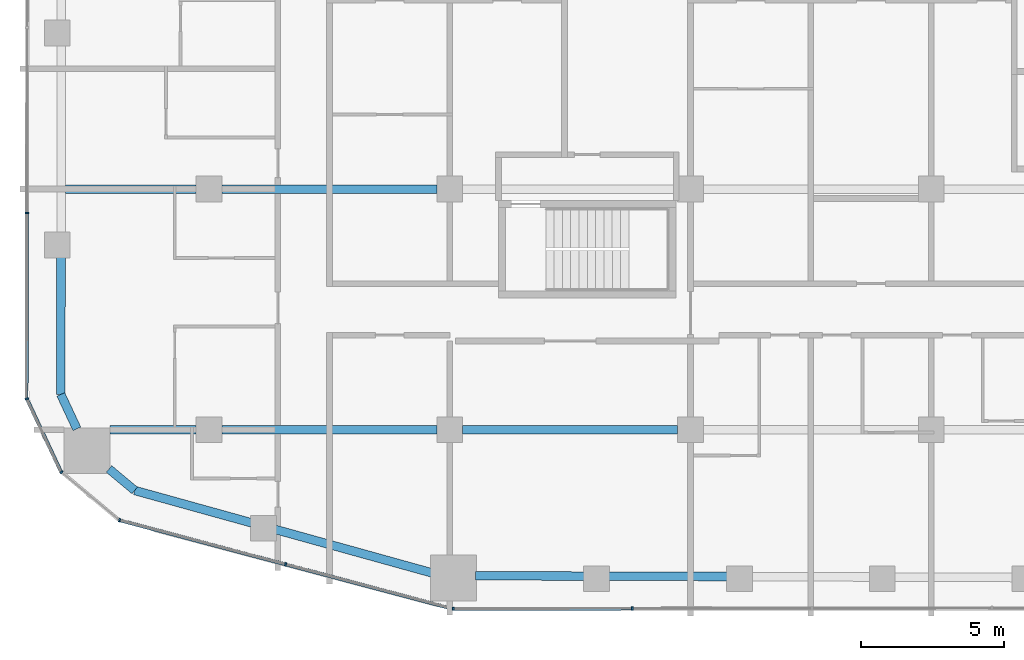
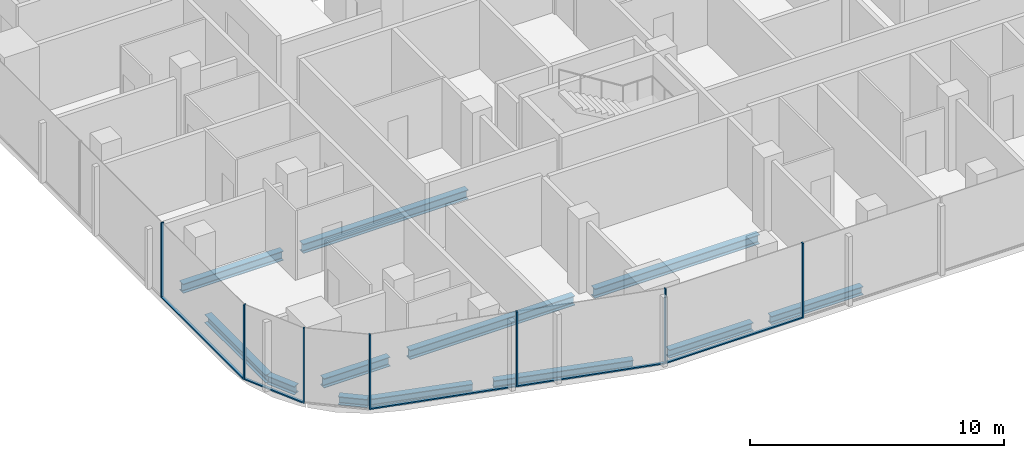
# One storey, part 2 of 23: 12 beams, 12 members, 5 elements without a shape of their own.
"""IFC4 building model written with IfcOpenShell, lengths in metres."""

from ifc_helpers import new_model, si_unit, direction, frame, origin, origin_2d, place, context, subcontext, project, spatial, rectangle, i_section, extrude, material, layer, layer_set, material_profile, profile_set, type_object, element, aggregate, save


model = new_model("IFC4")

# Units and contexts
model_context = context("Model", 3, precision=1e-05, world=origin(), true_north=direction((0.0, 1.0)))
body_context = subcontext(model_context, "Body", "Model", "MODEL_VIEW")
ifc_project = project(units=[si_unit("LENGTHUNIT", "METRE"), si_unit("AREAUNIT", "SQUARE_METRE"), si_unit("VOLUMEUNIT", "CUBIC_METRE"), si_unit("PLANEANGLEUNIT", "RADIAN"), si_unit("MASSUNIT", "GRAM", prefix="KILO")], contexts=[model_context])

# Site, building, storey
site_placement = place(None, origin())
site = spatial("IfcSite", under=ifc_project, at=site_placement, CompositionType="ELEMENT")
building_placement = place(site_placement, origin())
building = spatial("IfcBuilding", under=site, at=building_placement, Name="Marenta Gate Hotel Tower", CompositionType="ELEMENT")
storey_placement = place(building_placement, frame((0.0, 0.0, 140.89990234375)))
storey = spatial("IfcBuildingStorey", under=building, at=storey_placement, Name="L32", CompositionType="ELEMENT", Elevation=140.89990234375)

# Beams
ifc_material_1 = material(Name="Steel S355", Category="steel")
ifc_material_profile_1 = material_profile(ifc_material_1, i_section(OverallWidth=0.300048828125, OverallDepth=0.39990234375, WebThickness=0.013427734375, FlangeThickness=0.02392578125, FilletRadius=0.027099609375, at=origin_2d()), Name="HEB 400")
ifc_profile_set_1 = profile_set([ifc_material_profile_1], Name="Steel S355")
beam_type_1 = type_object("IfcBeamType", Name="Edge beam HEB 400", PredefinedType="SPANDREL", material=ifc_profile_set_1)
beam_1_placement = place(storey_placement, frame((-13.227783203125, -21.794677734375, -0.4599609375), z_axis=(-0.963615860477, 0.267290990189, 0.0), x_axis=(-0.267290990189, -0.963615860477, 0.0)))
element("IfcBeam", 1, at=beam_1_placement, inside=storey, type_object=beam_type_1, Name="L32-EB-1", PredefinedType="SPANDREL", context=body_context, shape_type="SweptSolid", body=[
    extrude(i_section(OverallWidth=0.300048828125, OverallDepth=0.39990234375, WebThickness=0.013427734375, FlangeThickness=0.02392578125, FilletRadius=0.027099609375, at=origin_2d()), origin(), (0.0, 0.0, 1.0), 5.674072265625),
])
beam_2_placement = place(storey_placement, frame((-19.518310546875, -20.0498046875, -0.4599609375), z_axis=(-0.963630213062, 0.267239242016, 0.0), x_axis=(-0.267239242016, -0.963630213062, 0.0)))
element("IfcBeam", 2, at=beam_2_placement, inside=storey, type_object=beam_type_1, Name="L32-EB-2", PredefinedType="SPANDREL", context=body_context, shape_type="SweptSolid", body=[
    extrude(i_section(OverallWidth=0.300048828125, OverallDepth=0.39990234375, WebThickness=0.013427734375, FlangeThickness=0.02392578125, FilletRadius=0.027099609375, at=origin_2d()), origin(), (0.0, 0.0, 1.0), 4.232666015625),
])
beam_3_placement = place(storey_placement, frame((-23.596923828125, -18.918701171875, -0.4599609375), z_axis=(-0.767073132856, 0.641559668972, 0.0), x_axis=(-0.641559668972, -0.767073132856, 0.0)))
element("IfcBeam", 3, at=beam_3_placement, inside=storey, type_object=beam_type_1, Name="L32-EB-3", PredefinedType="SPANDREL", context=body_context, shape_type="SweptSolid", body=[
    extrude(i_section(OverallWidth=0.300048828125, OverallDepth=0.39990234375, WebThickness=0.013427734375, FlangeThickness=0.02392578125, FilletRadius=0.027099609375, at=origin_2d()), origin(), (0.0, 0.0, 1.0), 1.1689453125),
])
beam_4_placement = place(storey_placement, frame((-25.613525390625, -16.769287109375, -0.4599609375), z_axis=(-0.423207780269, 0.906032656541, 0.0), x_axis=(-0.906032656541, -0.423207780269, 0.0)))
element("IfcBeam", 4, at=beam_4_placement, inside=storey, type_object=beam_type_1, Name="L32-EB-4", PredefinedType="SPANDREL", context=body_context, shape_type="SweptSolid", body=[
    extrude(i_section(OverallWidth=0.300048828125, OverallDepth=0.39990234375, WebThickness=0.013427734375, FlangeThickness=0.02392578125, FilletRadius=0.027099609375, at=origin_2d()), origin(), (0.0, 0.0, 1.0), 1.326904296875),
])
beam_5_placement = place(storey_placement, frame((-26.175048828125, -15.567138671875, -0.4599609375), z_axis=(0.001371810517, 0.999999059068, 0.0), x_axis=(-0.999999059068, 0.001371810517, 0.0)))
element("IfcBeam", 5, at=beam_5_placement, inside=storey, type_object=beam_type_1, Name="L32-EB-5", PredefinedType="SPANDREL", context=body_context, shape_type="SweptSolid", body=[
    extrude(i_section(OverallWidth=0.300048828125, OverallDepth=0.39990234375, WebThickness=0.013427734375, FlangeThickness=0.02392578125, FilletRadius=0.027099609375, at=origin_2d()), origin(), (0.0, 0.0, 1.0), 4.80517578125),
])
beam_6_placement = place(storey_placement, frame((-2.9033203125, -21.92333984375, -0.4599609375), z_axis=(-0.999994807487, 0.003222576575, 0.0), x_axis=(-0.003222576575, -0.999994807487, 0.0)))
element("IfcBeam", 6, at=beam_6_placement, inside=storey, type_object=beam_type_1, Name="L32-EB-35", PredefinedType="SPANDREL", context=body_context, shape_type="SweptSolid", body=[
    extrude(i_section(OverallWidth=0.300048828125, OverallDepth=0.39990234375, WebThickness=0.013427734375, FlangeThickness=0.02392578125, FilletRadius=0.027099609375, at=origin_2d()), origin(), (0.0, 0.0, 1.0), 4.166748046875),
])
beam_7_placement = place(storey_placement, frame((-7.89013671875, -21.907470703125, -0.4599609375), z_axis=(-0.999994677283, 0.003262729738, 0.0), x_axis=(-0.003262729738, -0.999994677283, 0.0)))
element("IfcBeam", 7, at=beam_7_placement, inside=storey, type_object=beam_type_1, Name="L32-EB-36", PredefinedType="SPANDREL", context=body_context, shape_type="SweptSolid", body=[
    extrude(i_section(OverallWidth=0.300048828125, OverallDepth=0.39990234375, WebThickness=0.013427734375, FlangeThickness=0.02392578125, FilletRadius=0.027099609375, at=origin_2d()), origin(), (0.0, 0.0, 1.0), 3.816162109375),
])
ifc_material_2 = material(Name="Steel S355", Category="steel")
ifc_material_profile_2 = material_profile(ifc_material_2, i_section(OverallWidth=0.300048828125, OverallDepth=0.449951171875, WebThickness=0.013916015625, FlangeThickness=0.02587890625, FilletRadius=0.027099609375, at=origin_2d()), Name="HEB 450")
ifc_profile_set_2 = profile_set([ifc_material_profile_2], Name="Steel S355")
beam_type_2 = type_object("IfcBeamType", Name="Girder HEB 450", PredefinedType="BEAM", material=ifc_profile_set_2)
beam_8_placement = place(storey_placement, frame((-24.462890625, -16.800048828125, -0.48486328125), z_axis=(1.0, 0.0, 0.0), x_axis=(0.0, 1.0, 0.0)))
element("IfcBeam", 8, at=beam_8_placement, inside=storey, type_object=beam_type_2, Name="L32-GD-1", PredefinedType="BEAM", context=body_context, shape_type="SweptSolid", body=[
    extrude(i_section(OverallWidth=0.300048828125, OverallDepth=0.449951171875, WebThickness=0.013916015625, FlangeThickness=0.02587890625, FilletRadius=0.027099609375, at=origin_2d()), origin(), (0.0, 0.0, 1.0), 3.012939453125),
])
for number, where, z_axis, x_axis, name in (
    (9, (-20.550048828125, -16.800048828125, -0.48486328125), (1.0, 0.0, 0.0), (0.0, 1.0, 0.0), "L32-GD-2"),
    (10, (-12.14990234375, -16.800048828125, -0.48486328125), (1.0, 0.0, 0.0), (0.0, 1.0, 0.0), "L32-GD-3"),
):
    element("IfcBeam", number, at=place(storey_placement, frame(where, z_axis=z_axis, x_axis=x_axis)), inside=storey, type_object=beam_type_2, Name=name, PredefinedType="BEAM", context=body_context, shape_type="SweptSolid", body=[
        extrude(i_section(OverallWidth=0.300048828125, OverallDepth=0.449951171875, WebThickness=0.013916015625, FlangeThickness=0.02587890625, FilletRadius=0.027099609375, at=origin_2d()), origin(), (0.0, 0.0, 1.0), 7.5),
    ])
beam_9_placement = place(storey_placement, frame((-26.01513671875, -8.39990234375, -0.48486328125), z_axis=(1.0, 0.0, 0.0), x_axis=(0.0, 1.0, 0.0)))
element("IfcBeam", 11, at=beam_9_placement, inside=storey, type_object=beam_type_2, Name="L32-GD-8", PredefinedType="BEAM", context=body_context, shape_type="SweptSolid", body=[
    extrude(i_section(OverallWidth=0.300048828125, OverallDepth=0.449951171875, WebThickness=0.013916015625, FlangeThickness=0.02587890625, FilletRadius=0.027099609375, at=origin_2d()), origin(), (0.0, 0.0, 1.0), 4.565185546875),
])
beam_10_placement = place(storey_placement, frame((-20.550048828125, -8.39990234375, -0.48486328125), z_axis=(1.0, 0.0, 0.0), x_axis=(0.0, 1.0, 0.0)))
element("IfcBeam", 12, at=beam_10_placement, inside=storey, type_object=beam_type_2, Name="L32-GD-9", PredefinedType="BEAM", context=body_context, shape_type="SweptSolid", body=[
    extrude(i_section(OverallWidth=0.300048828125, OverallDepth=0.449951171875, WebThickness=0.013916015625, FlangeThickness=0.02587890625, FilletRadius=0.027099609375, at=origin_2d()), origin(), (0.0, 0.0, 1.0), 7.5),
])

# Curtain wall, member
ifc_material_3 = material(Name="Tinted insulated glass in bronze anodised frame", Category="glass")
ifc_layer = layer(ifc_material_3, 0.1201171875)
ifc_layer_set = layer_set([ifc_layer], Name="Tinted insulated glass in bronze anodised frame")
curtain_wall_type = type_object("IfcCurtainWallType", Name="Tower unitised curtain wall CW1", PredefinedType="NOTDEFINED", material=ifc_layer_set)
curtain_wall_1_placement = place(storey_placement, origin())
curtain_wall_1 = element("IfcCurtainWall", 13, at=curtain_wall_1_placement, inside=storey, type_object=curtain_wall_type, Name="CW1 run G03", PredefinedType="NOTDEFINED")
ifc_material_4 = material(Name="Bronze anodised aluminium", Category="aluminium")
ifc_material_profile_3 = material_profile(ifc_material_4, rectangle(XDim=0.1201171875, YDim=0.06005859375, at=origin_2d()), Name="Mullion CW1 60x120 bronze anodised aluminium")
ifc_profile_set_3 = profile_set([ifc_material_profile_3], Name="Bronze anodised aluminium")
member_type_1 = type_object("IfcMemberType", Name="Mullion CW1 60x120 bronze anodised aluminium", PredefinedType="MULLION", material=ifc_profile_set_3)
member_1_placement = place(storey_placement, frame((-27.36279296875, -9.23388671875, 0.0), z_axis=(0.0, 0.0, 1.0), x_axis=(0.99999877375, -0.001566045546, 0.0)))
member_1 = element("IfcMember", 14, at=member_1_placement, type_object=member_type_1, Name="CW1 mullion 6", PredefinedType="MULLION", context=body_context, shape_type="SweptSolid", body=[
    extrude(rectangle(XDim=0.1201171875, YDim=0.06005859375, at=origin_2d()), origin(), (0.0, 0.0, 1.0), 3.60009765625),
])

curtain_wall_2_placement = place(storey_placement, origin())
curtain_wall_2 = element("IfcCurtainWall", 15, at=curtain_wall_2_placement, inside=storey, type_object=curtain_wall_type, Name="CW1 run G04", PredefinedType="NOTDEFINED")
member_2_placement = place(storey_placement, frame((-27.3603515625, -15.720947265625, 0.0), z_axis=(0.0, 0.0, 1.0), x_axis=(0.905971778319, 0.423338088163, 0.0)))
member_2 = element("IfcMember", 16, at=member_2_placement, type_object=member_type_1, Name="CW1 mullion 1", PredefinedType="MULLION", context=body_context, shape_type="SweptSolid", body=[
    extrude(rectangle(XDim=0.1201171875, YDim=0.06005859375, at=origin_2d()), origin(), (0.0, 0.0, 1.0), 3.60009765625),
])

curtain_wall_3_placement = place(storey_placement, origin())
curtain_wall_3 = element("IfcCurtainWall", 17, at=curtain_wall_3_placement, inside=storey, type_object=curtain_wall_type, Name="CW1 run G05", PredefinedType="NOTDEFINED")
member_3_placement = place(storey_placement, frame((-26.152099609375, -18.27685546875, 0.0), z_axis=(0.0, 0.0, 1.0), x_axis=(0.641512168126, 0.767112858807, 0.0)))
member_3 = element("IfcMember", 18, at=member_3_placement, type_object=member_type_1, Name="CW1 mullion 1", PredefinedType="MULLION", context=body_context, shape_type="SweptSolid", body=[
    extrude(rectangle(XDim=0.1201171875, YDim=0.06005859375, at=origin_2d()), origin(), (0.0, 0.0, 1.0), 3.60009765625),
])
aggregate(curtain_wall_3, [member_3])

# Curtain wall, members
curtain_wall_4_placement = place(storey_placement, origin())
curtain_wall_4 = element("IfcCurtainWall", 19, at=curtain_wall_4_placement, inside=storey, type_object=curtain_wall_type, Name="CW1 run G06", PredefinedType="NOTDEFINED")
member_4_placement = place(storey_placement, frame((-24.12451171875, -19.955810546875, 0.0), z_axis=(0.0, 0.0, 1.0), x_axis=(0.257143631229, 0.966373195468, 0.0)))
member_4 = element("IfcMember", 20, at=member_4_placement, type_object=member_type_1, Name="CW1 mullion 1", PredefinedType="MULLION", context=body_context, shape_type="SweptSolid", body=[
    extrude(rectangle(XDim=0.1201171875, YDim=0.06005859375, at=origin_2d()), origin(), (0.0, 0.0, 1.0), 3.60009765625),
])
member_5_placement = place(storey_placement, frame((-18.32958984375, -21.497802734375, 0.0), z_axis=(0.0, 0.0, 1.0), x_axis=(0.257143631229, 0.966373195468, 0.0)))
member_5 = element("IfcMember", 21, at=member_5_placement, type_object=member_type_1, Name="CW1 mullion 2", PredefinedType="MULLION", context=body_context, shape_type="SweptSolid", body=[
    extrude(rectangle(XDim=0.1201171875, YDim=0.06005859375, at=origin_2d()), origin(), (0.0, 0.0, 1.0), 3.60009765625),
])

curtain_wall_5_placement = place(storey_placement, origin())
curtain_wall_5 = element("IfcCurtainWall", 22, at=curtain_wall_5_placement, inside=storey, type_object=curtain_wall_type, Name="CW1 run G07", PredefinedType="NOTDEFINED")
member_6_placement = place(storey_placement, frame((-12.475830078125, -23.04736328125, 0.0), z_axis=(0.0, 0.0, 1.0), x_axis=(-0.001362347707, 0.999999072004, 0.0)))
member_6 = element("IfcMember", 23, at=member_6_placement, type_object=member_type_1, Name="CW1 mullion 1", PredefinedType="MULLION", context=body_context, shape_type="SweptSolid", body=[
    extrude(rectangle(XDim=0.1201171875, YDim=0.06005859375, at=origin_2d()), origin(), (0.0, 0.0, 1.0), 3.60009765625),
])
member_7_placement = place(storey_placement, frame((-6.22998046875, -23.0390625, 0.0), z_axis=(0.0, 0.0, 1.0), x_axis=(-0.001362347707, 0.999999072004, 0.0)))
member_7 = element("IfcMember", 24, at=member_7_placement, type_object=member_type_1, Name="CW1 mullion 2", PredefinedType="MULLION", context=body_context, shape_type="SweptSolid", body=[
    extrude(rectangle(XDim=0.1201171875, YDim=0.06005859375, at=origin_2d()), origin(), (0.0, 0.0, 1.0), 3.60009765625),
])

# Member
ifc_material_5 = material(Name="Bronze anodised aluminium", Category="aluminium")
ifc_material_profile_4 = material_profile(ifc_material_5, rectangle(XDim=0.1201171875, YDim=0.06005859375, at=origin_2d()), Name="Transom CW1 60x120 bronze anodised aluminium")
ifc_profile_set_4 = profile_set([ifc_material_profile_4], Name="Bronze anodised aluminium")
member_type_2 = type_object("IfcMemberType", Name="Transom CW1 60x120 bronze anodised aluminium", PredefinedType="USERDEFINED", material=ifc_profile_set_4)
member_8_placement = place(storey_placement, frame((-27.363037109375, -9.263916015625, 0.030029296875), z_axis=(-0.001556743377, -0.999998788274, 0.0), x_axis=(0.999998788274, -0.001556743377, 0.0)))
member_8 = element("IfcMember", 25, at=member_8_placement, type_object=member_type_2, Name="CW1 transom 6.1", ObjectType="TRANSOM", PredefinedType="USERDEFINED", context=body_context, shape_type="SweptSolid", body=[
    extrude(rectangle(XDim=0.1201171875, YDim=0.06005859375, at=origin_2d()), origin(), (0.0, 0.0, 1.0), 6.429931640625),
])

aggregate(curtain_wall_1, [member_1, member_8])

member_9_placement = place(storey_placement, frame((-27.34765625, -15.748046875, 0.030029296875), z_axis=(0.423329323939, -0.905975873572, 0.0), x_axis=(0.905975873572, 0.423329323939, 0.0)))
member_9 = element("IfcMember", 26, at=member_9_placement, type_object=member_type_2, Name="CW1 transom 1.1", ObjectType="TRANSOM", PredefinedType="USERDEFINED", context=body_context, shape_type="SweptSolid", body=[
    extrude(rectangle(XDim=0.1201171875, YDim=0.06005859375, at=origin_2d()), origin(), (0.0, 0.0, 1.0), 2.77001953125),
])

aggregate(curtain_wall_2, [member_2, member_9])

member_10_placement = place(storey_placement, frame((-24.095458984375, -19.963623046875, 0.030029296875), z_axis=(0.966369276777, -0.257158357634, 0.0), x_axis=(0.257158357634, 0.966369276777, 0.0)))
member_10 = element("IfcMember", 27, at=member_10_placement, type_object=member_type_2, Name="CW1 transom 1.1", ObjectType="TRANSOM", PredefinedType="USERDEFINED", context=body_context, shape_type="SweptSolid", body=[
    extrude(rectangle(XDim=0.1201171875, YDim=0.06005859375, at=origin_2d()), origin(), (0.0, 0.0, 1.0), 5.9365234375),
])

member_11_placement = place(storey_placement, frame((-18.300537109375, -21.505615234375, 0.030029296875), z_axis=(0.966369960125, -0.257155789684, 0.0), x_axis=(0.257155789684, 0.966369960125, 0.0)))
member_11 = element("IfcMember", 28, at=member_11_placement, type_object=member_type_2, Name="CW1 transom 2.1", ObjectType="TRANSOM", PredefinedType="USERDEFINED", context=body_context, shape_type="SweptSolid", body=[
    extrude(rectangle(XDim=0.1201171875, YDim=0.06005859375, at=origin_2d()), origin(), (0.0, 0.0, 1.0), 5.996337890625),
])

aggregate(curtain_wall_4, [member_4, member_5, member_10, member_11])

member_12_placement = place(storey_placement, frame((-12.44580078125, -23.04736328125, 0.030029296875), z_axis=(0.999999099639, 0.001341909831, 0.0), x_axis=(-0.001341909831, 0.999999099639, 0.0)))
member_12 = element("IfcMember", 29, at=member_12_placement, type_object=member_type_2, Name="CW1 transom 1.1", ObjectType="TRANSOM", PredefinedType="USERDEFINED", context=body_context, shape_type="SweptSolid", body=[
    extrude(rectangle(XDim=0.1201171875, YDim=0.06005859375, at=origin_2d()), origin(), (0.0, 0.0, 1.0), 6.185791015625),
])

aggregate(curtain_wall_5, [member_6, member_7, member_12])

save(model, "model.ifc")
